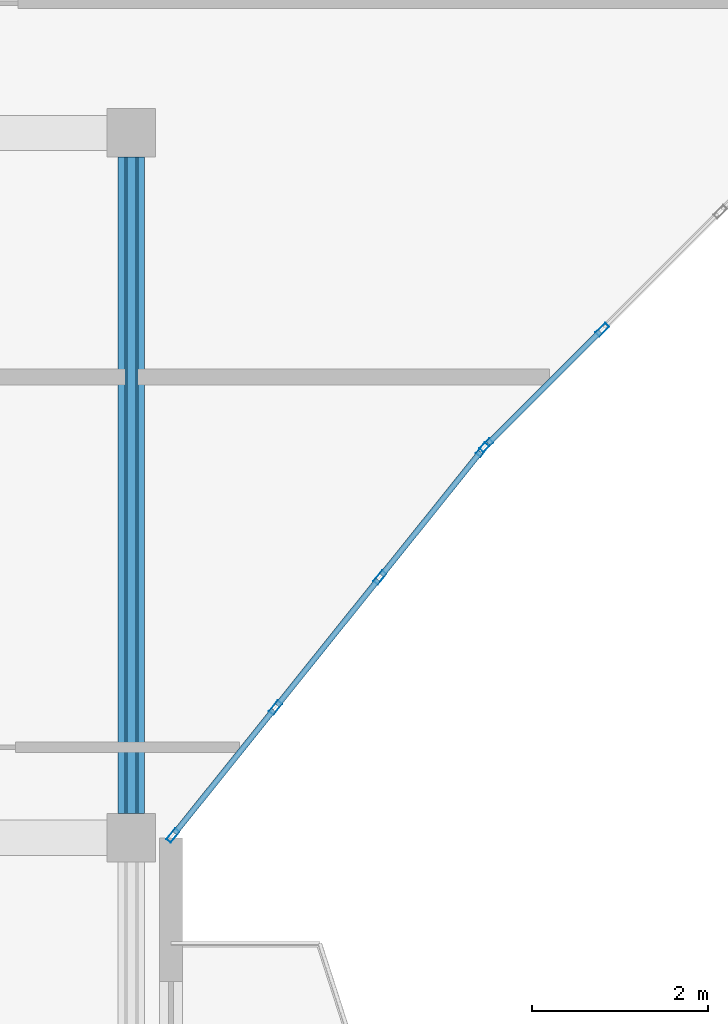
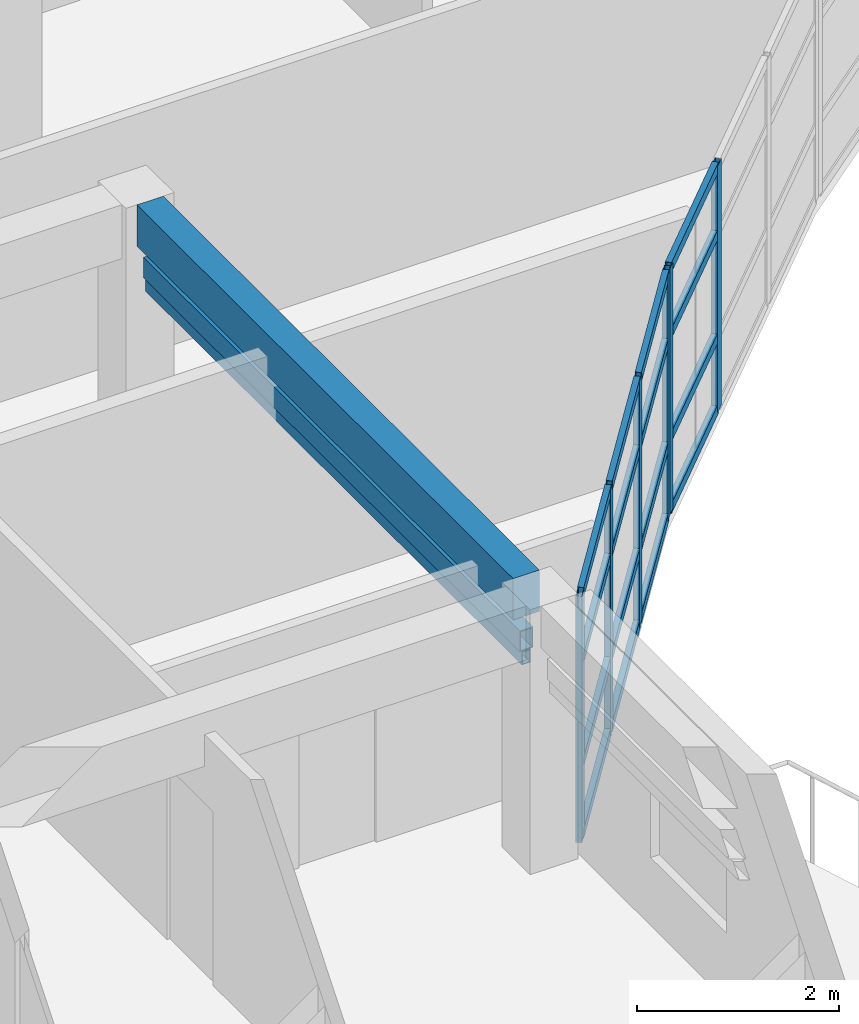
# One storey, part 4 of 49: 24 members, 1 beam, 2 elements without a shape of their own.
"""IFC4 building model written with IfcOpenShell, lengths in metres."""

from ifc_helpers import new_model, si_unit, direction, frame, origin, origin_2d, place, context, subcontext, project, spatial, rectangle, hollow_rectangle, extrude, material, layer, layer_set, material_profile, profile_set, type_object, element, aggregate, save


model = new_model("IFC4")

# Units and contexts
model_context = context("Model", 3, precision=1e-05, world=origin(), true_north=direction((0.0, 1.0)))
body_context = subcontext(model_context, "Body", "Model", "MODEL_VIEW")
ifc_project = project(units=[si_unit("LENGTHUNIT", "METRE"), si_unit("AREAUNIT", "SQUARE_METRE"), si_unit("VOLUMEUNIT", "CUBIC_METRE"), si_unit("PLANEANGLEUNIT", "RADIAN"), si_unit("MASSUNIT", "GRAM", prefix="KILO")], contexts=[model_context])

# Site, building, storey
site_placement = place(None, origin())
site = spatial("IfcSite", under=ifc_project, at=site_placement, CompositionType="ELEMENT")
building_placement = place(site_placement, origin())
building = spatial("IfcBuilding", under=site, at=building_placement, Name="Keldmere Railside Commons", CompositionType="ELEMENT")
storey_placement = place(building_placement, frame((0.0, 0.0, 29.760009765625)))
storey = spatial("IfcBuildingStorey", under=building, at=storey_placement, Name="L09", CompositionType="ELEMENT", Elevation=29.760009765625)

# Member
ifc_material_1 = material(Name="Steel F-36 (S355)", Category="steel")
ifc_material_profile_1 = material_profile(ifc_material_1, hollow_rectangle(XDim=0.14990234375, YDim=0.25, WallThickness=0.010009765625, at=origin_2d()), Name="RHS-250x150x10")
ifc_profile_set_1 = profile_set([ifc_material_profile_1], Name="Steel F-36 (S355)")
member_type_1 = type_object("IfcMemberType", Name="Balcony Continuous Planted Trough RHS250x150", PredefinedType="CHORD", material=ifc_profile_set_1)
member_1_placement = place(storey_placement, frame((63.550048828125, 88.27490234375, 2.4150390625), z_axis=(0.0, 1.0, 0.0), x_axis=(-1.0, 0.0, 0.0)))
element("IfcMember", 1, at=member_1_placement, inside=storey, type_object=member_type_1, Name="PLT-1 MEM-BPLT-0943", PredefinedType="CHORD", context=body_context, shape_type="SweptSolid", body=[
    extrude(hollow_rectangle(XDim=0.14990234375, YDim=0.25, WallThickness=0.010009765625, at=origin_2d()), origin(), (0.0, 0.0, 1.0), 7.4501953125),
])

# Beam
ifc_material_2 = material(Name="Concrete H-30 (C30/37)", Category="concrete")
ifc_material_profile_2 = material_profile(ifc_material_2, rectangle(XDim=0.300048828125, YDim=0.5, at=origin_2d()), Name="RC-300x500")
ifc_profile_set_2 = profile_set([ifc_material_profile_2], Name="Concrete H-30 (C30/37)")
beam_type = type_object("IfcBeamType", Name="Secondary Frame RC Beam 300x500", PredefinedType="BEAM", material=ifc_profile_set_2)
beam_placement = place(storey_placement, frame((63.550048828125, 88.27490234375, 2.949951171875), z_axis=(0.0, 1.0, 0.0), x_axis=(-1.0, 0.0, 0.0)))
element("IfcBeam", 2, at=beam_placement, inside=storey, type_object=beam_type, Name="BG-5 BM-L09-2330", PredefinedType="BEAM", context=body_context, shape_type="SweptSolid", body=[
    extrude(rectangle(XDim=0.300048828125, YDim=0.5, at=origin_2d()), origin(), (0.0, 0.0, 1.0), 7.4501953125),
])

# Member
ifc_material_profile_3 = material_profile(ifc_material_1, hollow_rectangle(XDim=0.10009765625, YDim=0.159912109375, WallThickness=0.008056640625, at=origin_2d()), Name="RHS-160x100x8")
ifc_profile_set_3 = profile_set([ifc_material_profile_3], Name="Steel F-36 (S355)")
member_type_2 = type_object("IfcMemberType", Name="Solar Brise-Soleil Louvre Fin RHS160x100", PredefinedType="STRUT", material=ifc_profile_set_3)
member_2_placement = place(storey_placement, frame((63.550048828125, 88.27490234375, 2.199951171875), z_axis=(0.0, 1.0, 0.0), x_axis=(-1.0, 0.0, 0.0)))
element("IfcMember", 3, at=member_2_placement, inside=storey, type_object=member_type_2, Name="BSF-1 MEM-BSF-0944", PredefinedType="STRUT", context=body_context, shape_type="SweptSolid", body=[
    extrude(hollow_rectangle(XDim=0.10009765625, YDim=0.159912109375, WallThickness=0.008056640625, at=origin_2d()), origin(), (0.0, 0.0, 1.0), 7.4501953125),
])

# Curtain wall, members
ifc_material_3 = material(Name="Thermally Broken Aluminium", Category="aluminium")
ifc_layer_1 = layer(ifc_material_3, 0.159912109375, Name="Court Chord Wintergarden CW 4800x2850")
ifc_layer_set_1 = layer_set([ifc_layer_1], Name="Thermally Broken Aluminium")
curtain_wall_type_1 = type_object("IfcCurtainWallType", Name="Court Chord Wintergarden CW 4800x2850", PredefinedType="NOTDEFINED", material=ifc_layer_set_1)
curtain_wall_1_placement = place(storey_placement, origin())
curtain_wall_1 = element("IfcCurtainWall", 4, at=curtain_wall_1_placement, inside=storey, type_object=curtain_wall_type_1, Name="CW-12 CW-L09-079", PredefinedType="NOTDEFINED")
ifc_material_profile_4 = material_profile(ifc_material_3, hollow_rectangle(XDim=0.06494140625, YDim=0.159912109375, WallThickness=0.00390625, at=origin_2d()), Name="ALU-MULL-65x160")
ifc_profile_set_4 = profile_set([ifc_material_profile_4], Name="Thermally Broken Aluminium")
member_type_3 = type_object("IfcMemberType", Name="Unitised Curtain Wall Mullion 65x160", PredefinedType="MULLION", material=ifc_profile_set_4)
member_3_placement = place(storey_placement, frame((67.53369140625, 92.404541015625, 0.0), z_axis=(0.0, 0.0, 1.0), x_axis=(0.780009172323, -0.625768080915, 0.0)))
member_3 = element("IfcMember", 5, at=member_3_placement, type_object=member_type_3, Name="CW-12 mullion 1", PredefinedType="MULLION", context=body_context, shape_type="SweptSolid", body=[
    extrude(hollow_rectangle(XDim=0.06494140625, YDim=0.159912109375, WallThickness=0.00390625, at=origin_2d()), origin(), (0.0, 0.0, 1.0), 2.97998046875),
])
member_4_placement = place(storey_placement, frame((66.369384765625, 90.953369140625, 0.0), z_axis=(0.0, 0.0, 1.0), x_axis=(0.780009172323, -0.625768080915, 0.0)))
member_4 = element("IfcMember", 6, at=member_4_placement, type_object=member_type_3, Name="CW-12 mullion 2", PredefinedType="MULLION", context=body_context, shape_type="SweptSolid", body=[
    extrude(hollow_rectangle(XDim=0.06494140625, YDim=0.159912109375, WallThickness=0.00390625, at=origin_2d()), origin(), (0.0, 0.0, 1.0), 2.97998046875),
])
member_5_placement = place(storey_placement, frame((65.1845703125, 89.4765625, 0.0), z_axis=(0.0, 0.0, 1.0), x_axis=(0.780009172323, -0.625768080915, 0.0)))
member_5 = element("IfcMember", 7, at=member_5_placement, type_object=member_type_3, Name="CW-12 mullion 3", PredefinedType="MULLION", context=body_context, shape_type="SweptSolid", body=[
    extrude(hollow_rectangle(XDim=0.06494140625, YDim=0.159912109375, WallThickness=0.00390625, at=origin_2d()), origin(), (0.0, 0.0, 1.0), 2.97998046875),
])
member_6_placement = place(storey_placement, frame((64.020263671875, 88.025390625, 0.0), z_axis=(0.0, 0.0, 1.0), x_axis=(0.780009172323, -0.625768080915, 0.0)))
member_6 = element("IfcMember", 8, at=member_6_placement, type_object=member_type_3, Name="CW-12 mullion 4", PredefinedType="MULLION", context=body_context, shape_type="SweptSolid", body=[
    extrude(hollow_rectangle(XDim=0.06494140625, YDim=0.159912109375, WallThickness=0.00390625, at=origin_2d()), origin(), (0.0, 0.0, 1.0), 2.97998046875),
])

ifc_layer_2 = layer(ifc_material_3, 0.159912109375, Name="Court Chord Wintergarden CW 5400x2850")
ifc_layer_set_2 = layer_set([ifc_layer_2], Name="Thermally Broken Aluminium")
curtain_wall_type_2 = type_object("IfcCurtainWallType", Name="Court Chord Wintergarden CW 5400x2850", PredefinedType="NOTDEFINED", material=ifc_layer_set_2)
curtain_wall_2_placement = place(storey_placement, origin())
curtain_wall_2 = element("IfcCurtainWall", 9, at=curtain_wall_2_placement, inside=storey, type_object=curtain_wall_type_2, Name="CW-13 CW-L09-080", PredefinedType="NOTDEFINED")
member_7_placement = place(storey_placement, frame((68.892578125, 93.7685546875, 0.0), z_axis=(0.0, 0.0, 1.0), x_axis=(0.707106781187, -0.707106781187, 0.0)))
member_7 = element("IfcMember", 10, at=member_7_placement, type_object=member_type_3, Name="CW-13 mullion 3", PredefinedType="MULLION", context=body_context, shape_type="SweptSolid", body=[
    extrude(hollow_rectangle(XDim=0.06494140625, YDim=0.159912109375, WallThickness=0.00390625, at=origin_2d()), origin(), (0.0, 0.0, 1.0), 2.97998046875),
])
member_8_placement = place(storey_placement, frame((67.576904296875, 92.452880859375, 0.0), z_axis=(0.0, 0.0, 1.0), x_axis=(0.707106781187, -0.707106781187, 0.0)))
member_8 = element("IfcMember", 11, at=member_8_placement, type_object=member_type_3, Name="CW-13 mullion 4", PredefinedType="MULLION", context=body_context, shape_type="SweptSolid", body=[
    extrude(hollow_rectangle(XDim=0.06494140625, YDim=0.159912109375, WallThickness=0.00390625, at=origin_2d()), origin(), (0.0, 0.0, 1.0), 2.97998046875),
])

# Member
ifc_material_profile_5 = material_profile(ifc_material_3, hollow_rectangle(XDim=0.06494140625, YDim=0.1201171875, WallThickness=0.00390625, at=origin_2d()), Name="ALU-TRAN-65x120")
ifc_profile_set_5 = profile_set([ifc_material_profile_5], Name="Thermally Broken Aluminium")
member_type_4 = type_object("IfcMemberType", Name="Unitised Curtain Wall Transom 65x120", PredefinedType="USERDEFINED", material=ifc_profile_set_5)
member_9_placement = place(storey_placement, frame((67.513427734375, 92.37939453125, 0.032470703125), z_axis=(-0.625805275091, -0.779979331565, 0.0), x_axis=(0.779979331565, -0.625805275091, 0.0)))
member_9 = element("IfcMember", 12, at=member_9_placement, type_object=member_type_4, Name="CW-12 transom 1.1", ObjectType="TRANSOM", PredefinedType="USERDEFINED", context=body_context, shape_type="SweptSolid", body=[
    extrude(hollow_rectangle(XDim=0.06494140625, YDim=0.1201171875, WallThickness=0.00390625, at=origin_2d()), origin(), (0.0, 0.0, 1.0), 1.795654296875),
])

member_10_placement = place(storey_placement, frame((67.513427734375, 92.37939453125, 0.89990234375), z_axis=(-0.625805275091, -0.779979331565, 0.0), x_axis=(0.779979331565, -0.625805275091, 0.0)))
member_10 = element("IfcMember", 13, at=member_10_placement, type_object=member_type_4, Name="CW-12 transom 1.2", ObjectType="TRANSOM", PredefinedType="USERDEFINED", context=body_context, shape_type="SweptSolid", body=[
    extrude(hollow_rectangle(XDim=0.06494140625, YDim=0.1201171875, WallThickness=0.00390625, at=origin_2d()), origin(), (0.0, 0.0, 1.0), 1.795654296875),
])

member_11_placement = place(storey_placement, frame((67.513427734375, 92.37939453125, 2.14990234375), z_axis=(-0.625805275091, -0.779979331565, 0.0), x_axis=(0.779979331565, -0.625805275091, 0.0)))
member_11 = element("IfcMember", 14, at=member_11_placement, type_object=member_type_4, Name="CW-12 transom 1.3", ObjectType="TRANSOM", PredefinedType="USERDEFINED", context=body_context, shape_type="SweptSolid", body=[
    extrude(hollow_rectangle(XDim=0.06494140625, YDim=0.1201171875, WallThickness=0.00390625, at=origin_2d()), origin(), (0.0, 0.0, 1.0), 1.795654296875),
])

member_12_placement = place(storey_placement, frame((67.513427734375, 92.37939453125, 2.947509765625), z_axis=(-0.625805275091, -0.779979331565, 0.0), x_axis=(0.779979331565, -0.625805275091, 0.0)))
member_12 = element("IfcMember", 15, at=member_12_placement, type_object=member_type_4, Name="CW-12 transom 1.4", ObjectType="TRANSOM", PredefinedType="USERDEFINED", context=body_context, shape_type="SweptSolid", body=[
    extrude(hollow_rectangle(XDim=0.06494140625, YDim=0.1201171875, WallThickness=0.00390625, at=origin_2d()), origin(), (0.0, 0.0, 1.0), 1.795654296875),
])

member_13_placement = place(storey_placement, frame((66.348876953125, 90.927978515625, 0.032470703125), z_axis=(-0.625688033635, -0.78007338409, 0.0), x_axis=(0.78007338409, -0.625688033635, 0.0)))
member_13 = element("IfcMember", 16, at=member_13_placement, type_object=member_type_4, Name="CW-12 transom 2.1", ObjectType="TRANSOM", PredefinedType="USERDEFINED", context=body_context, shape_type="SweptSolid", body=[
    extrude(hollow_rectangle(XDim=0.06494140625, YDim=0.1201171875, WallThickness=0.00390625, at=origin_2d()), origin(), (0.0, 0.0, 1.0), 1.828125),
])

member_14_placement = place(storey_placement, frame((66.348876953125, 90.927978515625, 0.89990234375), z_axis=(-0.625688033635, -0.78007338409, 0.0), x_axis=(0.78007338409, -0.625688033635, 0.0)))
member_14 = element("IfcMember", 17, at=member_14_placement, type_object=member_type_4, Name="CW-12 transom 2.2", ObjectType="TRANSOM", PredefinedType="USERDEFINED", context=body_context, shape_type="SweptSolid", body=[
    extrude(hollow_rectangle(XDim=0.06494140625, YDim=0.1201171875, WallThickness=0.00390625, at=origin_2d()), origin(), (0.0, 0.0, 1.0), 1.828125),
])

member_15_placement = place(storey_placement, frame((66.348876953125, 90.927978515625, 2.14990234375), z_axis=(-0.625688033635, -0.78007338409, 0.0), x_axis=(0.78007338409, -0.625688033635, 0.0)))
member_15 = element("IfcMember", 18, at=member_15_placement, type_object=member_type_4, Name="CW-12 transom 2.3", ObjectType="TRANSOM", PredefinedType="USERDEFINED", context=body_context, shape_type="SweptSolid", body=[
    extrude(hollow_rectangle(XDim=0.06494140625, YDim=0.1201171875, WallThickness=0.00390625, at=origin_2d()), origin(), (0.0, 0.0, 1.0), 1.828125),
])

member_16_placement = place(storey_placement, frame((66.348876953125, 90.927978515625, 2.947509765625), z_axis=(-0.625688033635, -0.78007338409, 0.0), x_axis=(0.78007338409, -0.625688033635, 0.0)))
member_16 = element("IfcMember", 19, at=member_16_placement, type_object=member_type_4, Name="CW-12 transom 2.4", ObjectType="TRANSOM", PredefinedType="USERDEFINED", context=body_context, shape_type="SweptSolid", body=[
    extrude(hollow_rectangle(XDim=0.06494140625, YDim=0.1201171875, WallThickness=0.00390625, at=origin_2d()), origin(), (0.0, 0.0, 1.0), 1.828125),
])

member_17_placement = place(storey_placement, frame((65.164306640625, 89.451416015625, 0.032470703125), z_axis=(-0.625722553313, -0.780045694992, 0.0), x_axis=(0.780045694992, -0.625722553313, 0.0)))
member_17 = element("IfcMember", 20, at=member_17_placement, type_object=member_type_4, Name="CW-12 transom 3.1", ObjectType="TRANSOM", PredefinedType="USERDEFINED", context=body_context, shape_type="SweptSolid", body=[
    extrude(hollow_rectangle(XDim=0.06494140625, YDim=0.1201171875, WallThickness=0.00390625, at=origin_2d()), origin(), (0.0, 0.0, 1.0), 1.795654296875),
])

member_18_placement = place(storey_placement, frame((65.164306640625, 89.451416015625, 0.89990234375), z_axis=(-0.625722553313, -0.780045694992, 0.0), x_axis=(0.780045694992, -0.625722553313, 0.0)))
member_18 = element("IfcMember", 21, at=member_18_placement, type_object=member_type_4, Name="CW-12 transom 3.2", ObjectType="TRANSOM", PredefinedType="USERDEFINED", context=body_context, shape_type="SweptSolid", body=[
    extrude(hollow_rectangle(XDim=0.06494140625, YDim=0.1201171875, WallThickness=0.00390625, at=origin_2d()), origin(), (0.0, 0.0, 1.0), 1.795654296875),
])

member_19_placement = place(storey_placement, frame((65.164306640625, 89.451416015625, 2.14990234375), z_axis=(-0.625722553313, -0.780045694992, 0.0), x_axis=(0.780045694992, -0.625722553313, 0.0)))
member_19 = element("IfcMember", 22, at=member_19_placement, type_object=member_type_4, Name="CW-12 transom 3.3", ObjectType="TRANSOM", PredefinedType="USERDEFINED", context=body_context, shape_type="SweptSolid", body=[
    extrude(hollow_rectangle(XDim=0.06494140625, YDim=0.1201171875, WallThickness=0.00390625, at=origin_2d()), origin(), (0.0, 0.0, 1.0), 1.795654296875),
])

member_20_placement = place(storey_placement, frame((65.164306640625, 89.451416015625, 2.947509765625), z_axis=(-0.625722553313, -0.780045694992, 0.0), x_axis=(0.780045694992, -0.625722553313, 0.0)))
member_20 = element("IfcMember", 23, at=member_20_placement, type_object=member_type_4, Name="CW-12 transom 3.4", ObjectType="TRANSOM", PredefinedType="USERDEFINED", context=body_context, shape_type="SweptSolid", body=[
    extrude(hollow_rectangle(XDim=0.06494140625, YDim=0.1201171875, WallThickness=0.00390625, at=origin_2d()), origin(), (0.0, 0.0, 1.0), 1.795654296875),
])

aggregate(curtain_wall_1, [member_3, member_4, member_5, member_6, member_9, member_10, member_11, member_12, member_13, member_14, member_15, member_16, member_17, member_18, member_19, member_20])

member_21_placement = place(storey_placement, frame((68.86962890625, 93.74560546875, 0.032470703125), z_axis=(-0.707174762418, -0.707038793419, 0.0), x_axis=(0.707038793419, -0.707174762418, 0.0)))
member_21 = element("IfcMember", 24, at=member_21_placement, type_object=member_type_4, Name="CW-13 transom 3.1", ObjectType="TRANSOM", PredefinedType="USERDEFINED", context=body_context, shape_type="SweptSolid", body=[
    extrude(hollow_rectangle(XDim=0.06494140625, YDim=0.1201171875, WallThickness=0.00390625, at=origin_2d()), origin(), (0.0, 0.0, 1.0), 1.795654296875),
])

member_22_placement = place(storey_placement, frame((68.86962890625, 93.74560546875, 0.89990234375), z_axis=(-0.707174762418, -0.707038793419, 0.0), x_axis=(0.707038793419, -0.707174762418, 0.0)))
member_22 = element("IfcMember", 25, at=member_22_placement, type_object=member_type_4, Name="CW-13 transom 3.2", ObjectType="TRANSOM", PredefinedType="USERDEFINED", context=body_context, shape_type="SweptSolid", body=[
    extrude(hollow_rectangle(XDim=0.06494140625, YDim=0.1201171875, WallThickness=0.00390625, at=origin_2d()), origin(), (0.0, 0.0, 1.0), 1.795654296875),
])

member_23_placement = place(storey_placement, frame((68.86962890625, 93.74560546875, 2.14990234375), z_axis=(-0.707174762418, -0.707038793419, 0.0), x_axis=(0.707038793419, -0.707174762418, 0.0)))
member_23 = element("IfcMember", 26, at=member_23_placement, type_object=member_type_4, Name="CW-13 transom 3.3", ObjectType="TRANSOM", PredefinedType="USERDEFINED", context=body_context, shape_type="SweptSolid", body=[
    extrude(hollow_rectangle(XDim=0.06494140625, YDim=0.1201171875, WallThickness=0.00390625, at=origin_2d()), origin(), (0.0, 0.0, 1.0), 1.795654296875),
])

member_24_placement = place(storey_placement, frame((68.86962890625, 93.74560546875, 2.947509765625), z_axis=(-0.707174762418, -0.707038793419, 0.0), x_axis=(0.707038793419, -0.707174762418, 0.0)))
member_24 = element("IfcMember", 27, at=member_24_placement, type_object=member_type_4, Name="CW-13 transom 3.4", ObjectType="TRANSOM", PredefinedType="USERDEFINED", context=body_context, shape_type="SweptSolid", body=[
    extrude(hollow_rectangle(XDim=0.06494140625, YDim=0.1201171875, WallThickness=0.00390625, at=origin_2d()), origin(), (0.0, 0.0, 1.0), 1.795654296875),
])

aggregate(curtain_wall_2, [member_7, member_8, member_21, member_22, member_23, member_24])

save(model, "model.ifc")
